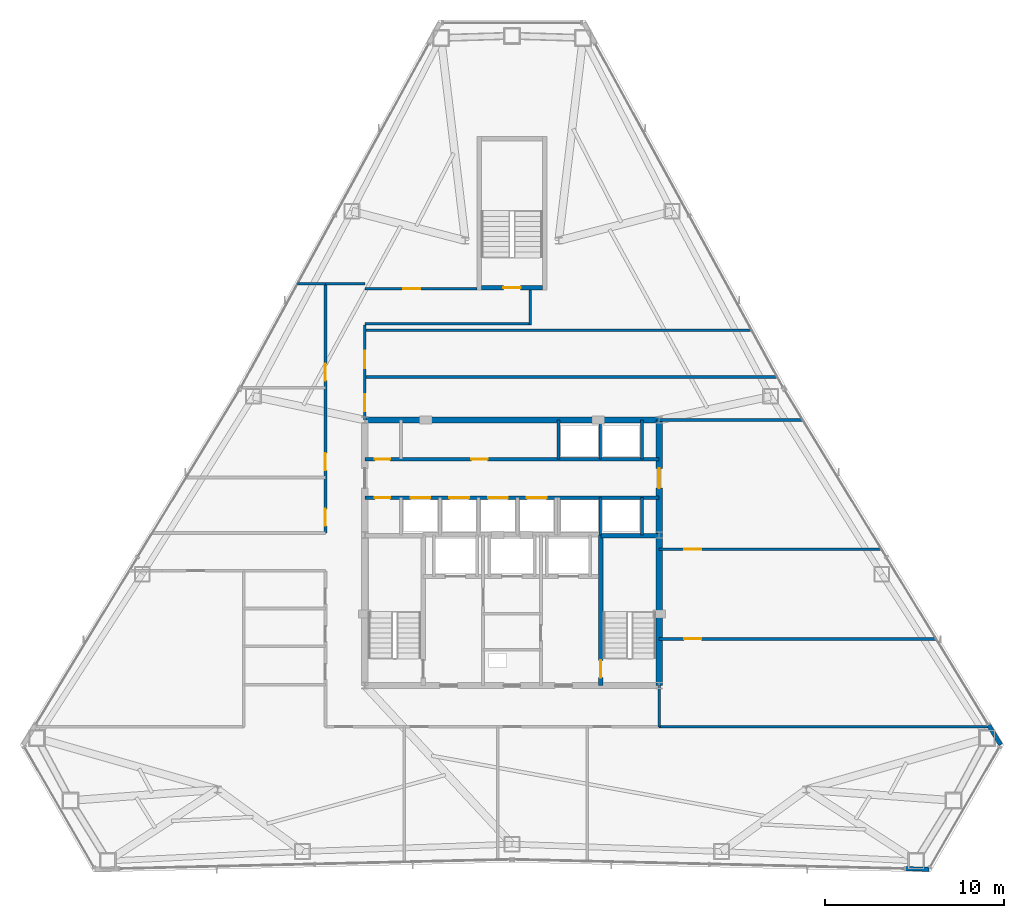
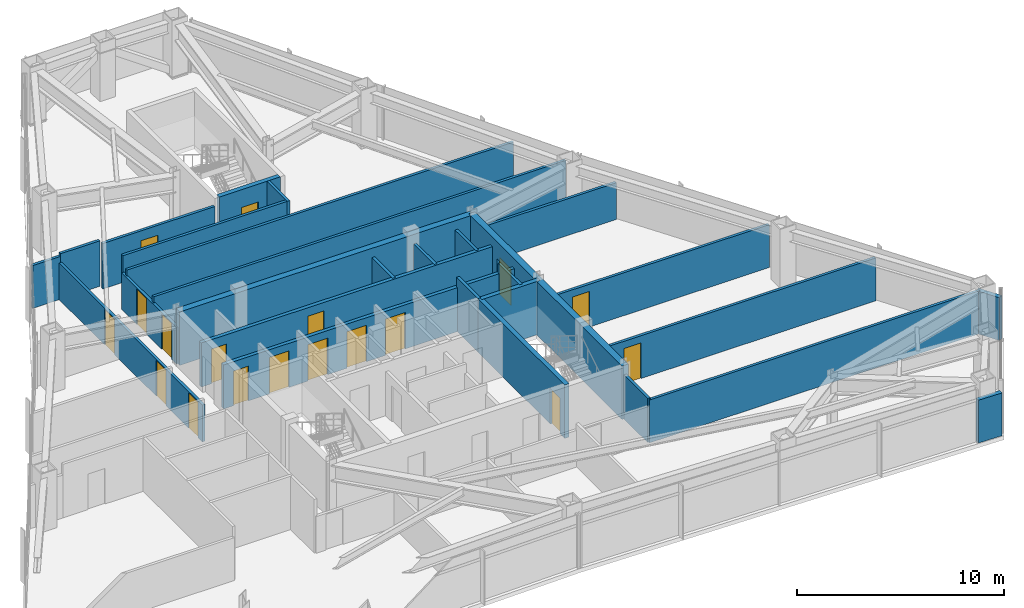
# One storey, part 10 of 12: 28 walls, 18 doors, 18 openings.
"""IFC4 building model written with IfcOpenShell, lengths in metres."""

from ifc_helpers import new_model, si_unit, direction, frame, frame_2d, origin, place, context, subcontext, project, spatial, rectangle, extrude, material, layer, layer_set, type_object, element, fill, save


model = new_model("IFC4")

# Units and contexts
model_context = context("Model", 3, precision=1e-05, world=origin(), true_north=direction((0.0, 1.0)))
body_context = subcontext(model_context, "Body", "Model", "MODEL_VIEW")
ifc_project = project(units=[si_unit("LENGTHUNIT", "METRE"), si_unit("AREAUNIT", "SQUARE_METRE"), si_unit("VOLUMEUNIT", "CUBIC_METRE"), si_unit("PLANEANGLEUNIT", "RADIAN"), si_unit("MASSUNIT", "GRAM", prefix="KILO")], contexts=[model_context])

# Site, building, storey
site_placement = place(None, origin())
site = spatial("IfcSite", under=ifc_project, at=site_placement, CompositionType="ELEMENT")
building_placement = place(site_placement, origin())
building = spatial("IfcBuilding", under=site, at=building_placement, Name="Varakhsha Concourse Tower", CompositionType="ELEMENT")
storey_placement = place(building_placement, frame((0.0, 0.0, 153.949951171875)))
storey = spatial("IfcBuildingStorey", under=building, at=storey_placement, Name="L44", CompositionType="ELEMENT", Elevation=153.949951171875)

# Wall
ifc_material_1 = material(Name="Concrete fc 65 MPa", Category="concrete")
ifc_layer_1 = layer(ifc_material_1, 0.35009765625, Name="WL-CORE-350")
ifc_layer_set_1 = layer_set([ifc_layer_1], Name="Concrete fc 65 MPa")
wall_type_1 = type_object("IfcWallType", Name="WL-CORE-350", PredefinedType="SHEAR", material=ifc_layer_set_1)
wall_1_placement = place(storey_placement, frame((31.800048828125, 31.199951171875, 0.0), z_axis=(0.0, 0.0, 1.0), x_axis=(1.0, 0.0, 0.0)))
element("IfcWall", 1, at=wall_1_placement, inside=storey, type_object=wall_type_1, Name="L44 Wall CWALL-N-L44", PredefinedType="SHEAR", context=body_context, shape_type="SweptSolid", body=[
    extrude(rectangle(XDim=16.39990234375, YDim=0.35009765625, at=frame_2d((8.199951171875, 0.0))), origin(), (0.0, 0.0, 1.0), 3.150146484375),
])

# Wall, opening, door
wall_2_placement = place(storey_placement, frame((48.199951171875, 16.39990234375, 0.0), z_axis=(0.0, 0.0, 1.0), x_axis=(0.0, 1.0, 0.0)))
wall_2 = element("IfcWall", 2, at=wall_2_placement, inside=storey, type_object=wall_type_1, Name="L44 Wall CWALL-E-L44", PredefinedType="SHEAR", context=body_context, shape_type="SweptSolid", body=[
    extrude(rectangle(XDim=14.800048828125, YDim=0.35009765625, at=frame_2d((7.39990234375, 0.0))), origin(), (0.0, 0.0, 1.0), 3.150146484375),
])
opening_1_placement = place(wall_2_placement, frame((11.0, 0.0, 0.0)))
opening_1 = element("IfcOpeningElement", 3, at=opening_1_placement, cuts=wall_2, Name="Opening DL-01", PredefinedType="OPENING", context=body_context, shape_type="SweptSolid", body=[
    extrude(rectangle(XDim=1.10009765625, YDim=2.14990234375, at=frame_2d((0.550048828125, 1.074951171875))), frame((0.0, 0.18505859375, 0.0), z_axis=(0.0, -1.0, 0.0), x_axis=(1.0, 0.0, 0.0)), (0.0, 0.0, 1.0), 0.3701171875),
])
ifc_material_2 = material(Name="Anodised Bronze Architectural Aluminium AA 6063-T6", Category="aluminium")
door_type_1 = type_object("IfcDoorType", Name="DR-LOB-1100", OperationType="NOTDEFINED", PredefinedType="DOOR", material=ifc_material_2)
door_1_placement = place(opening_1_placement, origin())
door_1 = element("IfcDoor", 4, at=door_1_placement, inside=storey, type_object=door_type_1, Name="L44 Lift Lobby East Concourse Door", OperationType="SINGLE_SWING_RIGHT", OverallHeight=2.14990234375, OverallWidth=1.10009765625, PredefinedType="DOOR", context=body_context, shape_type="SweptSolid", body=[
    extrude(rectangle(XDim=1.10009765625, YDim=2.14990234375, at=frame_2d((0.550048828125, 1.074951171875))), frame((0.0, 0.02490234375, 0.0), z_axis=(0.0, -1.0, 0.0), x_axis=(1.0, 0.0, 0.0)), (0.0, 0.0, 1.0), 0.050048828125),
])
fill(opening_1, door_1)

# Walls
ifc_material_3 = material(Name="Concrete fc 45 MPa", Category="concrete")
ifc_layer_2 = layer(ifc_material_3, 0.239990234375, Name="WL-EXT-CRN-240")
ifc_layer_set_2 = layer_set([ifc_layer_2], Name="Concrete fc 45 MPa")
wall_type_2 = type_object("IfcWallType", Name="WL-EXT-CRN-240", PredefinedType="SHEAR", material=ifc_layer_set_2)
for number, where, z_axis, x_axis, name in (
    (5, (61.94482421875, 6.1923828125, 0.0), (0.0, 0.0, 1.0), (0.999725281916, -0.023438444878, 0.0), "L44 Wind-Corner Shoulder Wall F6"),
    (6, (67.2392578125, 13.095947265625, 0.0), (0.0, 0.0, 1.0), (-0.520210782009, 0.854037904476, 0.0), "L44 Wind-Corner Shoulder Wall F8"),
):
    element("IfcWall", number, at=place(storey_placement, frame(where, z_axis=z_axis, x_axis=x_axis)), inside=storey, type_object=wall_type_2, Name=name, PredefinedType="SHEAR", context=body_context, shape_type="SweptSolid", body=[
        extrude(rectangle(XDim=1.29150390625, YDim=0.239990234375, at=frame_2d((0.645751953125, 0.0))), origin(), (0.0, 0.0, 1.0), 2.52294921875),
    ])
ifc_material_4 = material(Name="Fire-Rated Type X Gypsum Partition Assembly", Category="gypsum")
ifc_layer_3 = layer(ifc_material_4, 0.14990234375, Name="WL-PART-150")
ifc_layer_set_3 = layer_set([ifc_layer_3], Name="Fire-Rated Type X Gypsum Partition Assembly")
wall_type_3 = type_object("IfcWallType", Name="WL-PART-150", PredefinedType="PARTITIONING", material=ifc_layer_set_3)
wall_3_placement = place(storey_placement, frame((48.199951171875, 14.10009765625, 0.0), z_axis=(0.0, 0.0, 1.0), x_axis=(0.0, 1.0, 0.0)))
element("IfcWall", 7, at=wall_3_placement, inside=storey, type_object=wall_type_3, Name="L44 Wall CRW-SE-L44", PredefinedType="PARTITIONING", context=body_context, shape_type="SweptSolid", body=[
    extrude(rectangle(XDim=2.2998046875, YDim=0.14990234375, at=frame_2d((1.14990234375, 0.0))), origin(), (0.0, 0.0, 1.0), 2.60107421875),
])

# Wall, openings, doors
wall_4_placement = place(storey_placement, frame((29.60009765625, 24.89990234375, 0.0), z_axis=(0.0, 0.0, 1.0), x_axis=(0.0, 1.0, 0.0)))
wall_4 = element("IfcWall", 8, at=wall_4_placement, inside=storey, type_object=wall_type_3, Name="L44 Wall CRW-WN-L44", PredefinedType="PARTITIONING", context=body_context, shape_type="SweptSolid", body=[
    extrude(rectangle(XDim=13.900146484375, YDim=0.14990234375, at=frame_2d((6.9501953125, 0.0))), origin(), (0.0, 0.0, 1.0), 2.1650390625),
])
opening_2_placement = place(wall_4_placement, frame((0.39990234375, 0.0, 0.0)))
opening_2 = element("IfcOpeningElement", 9, at=opening_2_placement, cuts=wall_4, Name="Opening DF-05", PredefinedType="OPENING", context=body_context, shape_type="SweptSolid", body=[
    extrude(rectangle(XDim=0.949951171875, YDim=2.10009765625, at=frame_2d((0.47509765625, 1.050048828125))), frame((0.0, 0.0849609375, 0.0), z_axis=(0.0, -1.0, 0.0), x_axis=(1.0, 0.0, 0.0)), (0.0, 0.0, 1.0), 0.169921875),
])
opening_3_placement = place(wall_4_placement, frame((3.5, 0.0, 0.0)))
opening_3 = element("IfcOpeningElement", 10, at=opening_3_placement, cuts=wall_4, Name="Opening DF-05", PredefinedType="OPENING", context=body_context, shape_type="SweptSolid", body=[
    extrude(rectangle(XDim=0.949951171875, YDim=2.10009765625, at=frame_2d((0.47509765625, 1.050048828125))), frame((0.0, 0.0849609375, 0.0), z_axis=(0.0, -1.0, 0.0), x_axis=(1.0, 0.0, 0.0)), (0.0, 0.0, 1.0), 0.169921875),
])
opening_4_placement = place(wall_4_placement, frame((8.5, 0.0, 0.0)))
opening_4 = element("IfcOpeningElement", 11, at=opening_4_placement, cuts=wall_4, Name="Opening DF-05", PredefinedType="OPENING", context=body_context, shape_type="SweptSolid", body=[
    extrude(rectangle(XDim=0.949951171875, YDim=2.10009765625, at=frame_2d((0.47509765625, 1.050048828125))), frame((0.0, 0.0849609375, 0.0), z_axis=(0.0, -1.0, 0.0), x_axis=(1.0, 0.0, 0.0)), (0.0, 0.0, 1.0), 0.169921875),
])
ifc_material_5 = material(Name="Hollow Galvanised Steel Fire Door Assembly", Category="steel")
door_type_2 = type_object("IfcDoorType", Name="DR-FD60-950", OperationType="NOTDEFINED", PredefinedType="DOOR", material=ifc_material_5)
door_2_placement = place(opening_2_placement, origin())
door_2 = element("IfcDoor", 12, at=door_2_placement, inside=storey, type_object=door_type_2, Name="L44 Executive Dining Pantry L44-NW Door", OperationType="SINGLE_SWING_LEFT", OverallHeight=2.10009765625, OverallWidth=0.949951171875, PredefinedType="DOOR", context=body_context, shape_type="SweptSolid", body=[
    extrude(rectangle(XDim=0.949951171875, YDim=2.10009765625, at=frame_2d((0.47509765625, 1.050048828125))), frame((0.0, 0.02490234375, 0.0), z_axis=(0.0, -1.0, 0.0), x_axis=(1.0, 0.0, 0.0)), (0.0, 0.0, 1.0), 0.050048828125),
])
fill(opening_2, door_2)
door_3_placement = place(opening_3_placement, origin())
door_3 = element("IfcDoor", 13, at=door_3_placement, inside=storey, type_object=door_type_2, Name="L44 Executive Director Suite L44-W2 Door", OperationType="SINGLE_SWING_RIGHT", OverallHeight=2.10009765625, OverallWidth=0.949951171875, PredefinedType="DOOR", context=body_context, shape_type="SweptSolid", body=[
    extrude(rectangle(XDim=0.949951171875, YDim=2.10009765625, at=frame_2d((0.47509765625, 1.050048828125))), frame((0.0, 0.02490234375, 0.0), z_axis=(0.0, -1.0, 0.0), x_axis=(1.0, 0.0, 0.0)), (0.0, 0.0, 1.0), 0.050048828125),
])
fill(opening_3, door_3)
door_4_placement = place(opening_4_placement, origin())
door_4 = element("IfcDoor", 14, at=door_4_placement, inside=storey, type_object=door_type_2, Name="L44 Executive Director Suite L44-W3 Door", OperationType="SINGLE_SWING_LEFT", OverallHeight=2.10009765625, OverallWidth=0.949951171875, PredefinedType="DOOR", context=body_context, shape_type="SweptSolid", body=[
    extrude(rectangle(XDim=0.949951171875, YDim=2.10009765625, at=frame_2d((0.47509765625, 1.050048828125))), frame((0.0, 0.02490234375, 0.0), z_axis=(0.0, -1.0, 0.0), x_axis=(1.0, 0.0, 0.0)), (0.0, 0.0, 1.0), 0.050048828125),
])
fill(opening_4, door_4)

wall_5_placement = place(storey_placement, frame((31.800048828125, 31.199951171875, 0.0), z_axis=(0.0, 0.0, 1.0), x_axis=(0.0, 1.0, 0.0)))
wall_5 = element("IfcWall", 15, at=wall_5_placement, inside=storey, type_object=wall_type_3, Name="L44 Wall CRW-NE-L44", PredefinedType="PARTITIONING", context=body_context, shape_type="SweptSolid", body=[
    extrude(rectangle(XDim=5.300048828125, YDim=0.14990234375, at=frame_2d((2.64990234375, 0.0))), origin(), (0.0, 0.0, 1.0), 2.1650390625),
])
opening_5_placement = place(wall_5_placement, frame((0.5, 0.0, 0.0)))
opening_5 = element("IfcOpeningElement", 16, at=opening_5_placement, cuts=wall_5, Name="Opening DF-05", PredefinedType="OPENING", context=body_context, shape_type="SweptSolid", body=[
    extrude(rectangle(XDim=0.949951171875, YDim=2.10009765625, at=frame_2d((0.47509765625, 1.050048828125))), frame((0.0, 0.0849609375, 0.0), z_axis=(0.0, -1.0, 0.0), x_axis=(1.0, 0.0, 0.0)), (0.0, 0.0, 1.0), 0.169921875),
])
opening_6_placement = place(wall_5_placement, frame((2.89990234375, 0.0, 0.0)))
opening_6 = element("IfcOpeningElement", 17, at=opening_6_placement, cuts=wall_5, Name="Opening DF-05", PredefinedType="OPENING", context=body_context, shape_type="SweptSolid", body=[
    extrude(rectangle(XDim=0.949951171875, YDim=2.10009765625, at=frame_2d((0.47509765625, 1.050048828125))), frame((0.0, 0.0849609375, 0.0), z_axis=(0.0, -1.0, 0.0), x_axis=(1.0, 0.0, 0.0)), (0.0, 0.0, 1.0), 0.169921875),
])
door_5_placement = place(opening_5_placement, origin())
door_5 = element("IfcDoor", 18, at=door_5_placement, inside=storey, type_object=door_type_2, Name="L44 Mountain View Grand Corner Boardroom L44-NE1 Door", OperationType="SINGLE_SWING_RIGHT", OverallHeight=2.10009765625, OverallWidth=0.949951171875, PredefinedType="DOOR", context=body_context, shape_type="SweptSolid", body=[
    extrude(rectangle(XDim=0.949951171875, YDim=2.10009765625, at=frame_2d((0.47509765625, 1.050048828125))), frame((0.0, 0.02490234375, 0.0), z_axis=(0.0, -1.0, 0.0), x_axis=(1.0, 0.0, 0.0)), (0.0, 0.0, 1.0), 0.050048828125),
])
fill(opening_5, door_5)
door_6_placement = place(opening_6_placement, origin())
door_6 = element("IfcDoor", 19, at=door_6_placement, inside=storey, type_object=door_type_2, Name="L44 Apex Executive Director Suite L44-NE2 Door", OperationType="SINGLE_SWING_RIGHT", OverallHeight=2.10009765625, OverallWidth=0.949951171875, PredefinedType="DOOR", context=body_context, shape_type="SweptSolid", body=[
    extrude(rectangle(XDim=0.949951171875, YDim=2.10009765625, at=frame_2d((0.47509765625, 1.050048828125))), frame((0.0, 0.02490234375, 0.0), z_axis=(0.0, -1.0, 0.0), x_axis=(1.0, 0.0, 0.0)), (0.0, 0.0, 1.0), 0.050048828125),
])
fill(opening_6, door_6)

# Walls
wall_6_placement = place(storey_placement, frame((29.60009765625, 38.800048828125, 0.0), z_axis=(0.0, 0.0, 1.0), x_axis=(1.0, 0.0, 0.0)))
element("IfcWall", 20, at=wall_6_placement, inside=storey, type_object=wall_type_3, Name="L44 Wall CRW-NCAP-L44", PredefinedType="PARTITIONING", context=body_context, shape_type="SweptSolid", body=[
    extrude(rectangle(XDim=2.199951171875, YDim=0.14990234375, at=frame_2d((1.10009765625, 0.0))), origin(), (0.0, 0.0, 1.0), 2.68310546875),
])
wall_7_placement = place(storey_placement, frame((28.054443359375, 38.800048828125, 0.0), z_axis=(0.0, 0.0, 1.0), x_axis=(1.0, 0.0, 0.0)))
element("IfcWall", 21, at=wall_7_placement, inside=storey, type_object=wall_type_3, Name="L44 Wall ODIV-NWT-L44", PredefinedType="PARTITIONING", context=body_context, shape_type="SweptSolid", body=[
    extrude(rectangle(XDim=1.545654296875, YDim=0.14990234375, at=frame_2d((0.77294921875, 0.0))), origin(), (0.0, 0.0, 1.0), 2.529052734375),
])
wall_8_placement = place(storey_placement, frame((48.199951171875, 31.199951171875, 0.0), z_axis=(0.0, 0.0, 1.0), x_axis=(1.0, 0.0, 0.0)))
element("IfcWall", 22, at=wall_8_placement, inside=storey, type_object=wall_type_3, Name="L44 Wall ODIV-NEB-L44", PredefinedType="PARTITIONING", context=body_context, shape_type="SweptSolid", body=[
    extrude(rectangle(XDim=8.00830078125, YDim=0.14990234375, at=frame_2d((4.004150390625, 0.0))), origin(), (0.0, 0.0, 1.0), 2.1650390625),
])
wall_9_placement = place(storey_placement, frame((31.800048828125, 33.60009765625, 0.0), z_axis=(0.0, 0.0, 1.0), x_axis=(1.0, 0.0, 0.0)))
element("IfcWall", 23, at=wall_9_placement, inside=storey, type_object=wall_type_3, Name="L44 Wall ODIV-NE1-L44", PredefinedType="PARTITIONING", context=body_context, shape_type="SweptSolid", body=[
    extrude(rectangle(XDim=22.987548828125, YDim=0.14990234375, at=frame_2d((11.49365234375, 0.0))), origin(), (0.0, 0.0, 1.0), 2.529052734375),
])
wall_10_placement = place(storey_placement, frame((31.800048828125, 36.199951171875, 0.0), z_axis=(0.0, 0.0, 1.0), x_axis=(1.0, 0.0, 0.0)))
element("IfcWall", 24, at=wall_10_placement, inside=storey, type_object=wall_type_3, Name="L44 Wall ODIV-NE2-L44", PredefinedType="PARTITIONING", context=body_context, shape_type="SweptSolid", body=[
    extrude(rectangle(XDim=21.566650390625, YDim=0.14990234375, at=frame_2d((10.783203125, 0.0))), origin(), (0.0, 0.0, 1.0), 2.529052734375),
])
wall_11_placement = place(storey_placement, frame((48.199951171875, 14.10009765625, 0.0), z_axis=(0.0, 0.0, 1.0), x_axis=(1.0, 0.0, 0.0)))
element("IfcWall", 25, at=wall_11_placement, inside=storey, type_object=wall_type_3, Name="L44 Wall ODIV-EB0-L44", PredefinedType="PARTITIONING", context=body_context, shape_type="SweptSolid", body=[
    extrude(rectangle(XDim=18.422119140625, YDim=0.14990234375, at=frame_2d((9.2109375, 0.0))), origin(), (0.0, 0.0, 1.0), 2.529052734375),
])

# Wall, opening, door
wall_12_placement = place(storey_placement, frame((48.199951171875, 19.0, 0.0), z_axis=(0.0, 0.0, 1.0), x_axis=(1.0, 0.0, 0.0)))
wall_12 = element("IfcWall", 26, at=wall_12_placement, inside=storey, type_object=wall_type_3, Name="L44 Wall ODIV-E1-L44", PredefinedType="PARTITIONING", context=body_context, shape_type="SweptSolid", body=[
    extrude(rectangle(XDim=15.43798828125, YDim=0.14990234375, at=frame_2d((7.718994140625, 0.0))), origin(), (0.0, 0.0, 1.0), 2.529052734375),
])
opening_7_placement = place(wall_12_placement, frame((1.39990234375, 0.0, 0.0)))
opening_7 = element("IfcOpeningElement", 27, at=opening_7_placement, cuts=wall_12, Name="Opening DF-05", PredefinedType="OPENING", context=body_context, shape_type="SweptSolid", body=[
    extrude(rectangle(XDim=0.949951171875, YDim=2.10009765625, at=frame_2d((0.47509765625, 1.050048828125))), frame((0.0, 0.0849609375, 0.0), z_axis=(0.0, -1.0, 0.0), x_axis=(1.0, 0.0, 0.0)), (0.0, 0.0, 1.0), 0.169921875),
])
door_7_placement = place(opening_7_placement, origin())
door_7 = element("IfcDoor", 28, at=door_7_placement, inside=storey, type_object=door_type_2, Name="L44 East Suite Interconnect Door 1", OperationType="SINGLE_SWING_LEFT", OverallHeight=2.10009765625, OverallWidth=0.949951171875, PredefinedType="DOOR", context=body_context, shape_type="SweptSolid", body=[
    extrude(rectangle(XDim=0.949951171875, YDim=2.10009765625, at=frame_2d((0.47509765625, 1.050048828125))), frame((0.0, 0.02490234375, 0.0), z_axis=(0.0, -1.0, 0.0), x_axis=(1.0, 0.0, 0.0)), (0.0, 0.0, 1.0), 0.050048828125),
])
fill(opening_7, door_7)

wall_13_placement = place(storey_placement, frame((48.199951171875, 24.0, 0.0), z_axis=(0.0, 0.0, 1.0), x_axis=(1.0, 0.0, 0.0)))
wall_13 = element("IfcWall", 29, at=wall_13_placement, inside=storey, type_object=wall_type_3, Name="L44 Wall ODIV-E2-L44", PredefinedType="PARTITIONING", context=body_context, shape_type="SweptSolid", body=[
    extrude(rectangle(XDim=12.39306640625, YDim=0.14990234375, at=frame_2d((6.196533203125, 0.0))), origin(), (0.0, 0.0, 1.0), 2.529052734375),
])
opening_8_placement = place(wall_13_placement, frame((1.39990234375, 0.0, 0.0)))
opening_8 = element("IfcOpeningElement", 30, at=opening_8_placement, cuts=wall_13, Name="Opening DF-05", PredefinedType="OPENING", context=body_context, shape_type="SweptSolid", body=[
    extrude(rectangle(XDim=0.949951171875, YDim=2.10009765625, at=frame_2d((0.47509765625, 1.050048828125))), frame((0.0, 0.0849609375, 0.0), z_axis=(0.0, -1.0, 0.0), x_axis=(1.0, 0.0, 0.0)), (0.0, 0.0, 1.0), 0.169921875),
])
door_8_placement = place(opening_8_placement, origin())
door_8 = element("IfcDoor", 31, at=door_8_placement, inside=storey, type_object=door_type_2, Name="L44 East Suite Interconnect Door 2", OperationType="SINGLE_SWING_RIGHT", OverallHeight=2.10009765625, OverallWidth=0.949951171875, PredefinedType="DOOR", context=body_context, shape_type="SweptSolid", body=[
    extrude(rectangle(XDim=0.949951171875, YDim=2.10009765625, at=frame_2d((0.47509765625, 1.050048828125))), frame((0.0, 0.02490234375, 0.0), z_axis=(0.0, -1.0, 0.0), x_axis=(1.0, 0.0, 0.0)), (0.0, 0.0, 1.0), 0.050048828125),
])
fill(opening_8, door_8)

# Wall
wall_14_placement = place(storey_placement, frame((31.800048828125, 36.574951171875, 0.0), z_axis=(0.0, 0.0, 1.0), x_axis=(1.0, 0.0, 0.0)))
element("IfcWall", 32, at=wall_14_placement, inside=storey, type_object=wall_type_3, Name="L44 Wall STLK-S-L44", PredefinedType="PARTITIONING", context=body_context, shape_type="SweptSolid", body=[
    extrude(rectangle(XDim=9.14990234375, YDim=0.14990234375, at=frame_2d((4.574951171875, 0.0))), origin(), (0.0, 0.0, 1.0), 3.150146484375),
])

# Wall, opening, door
wall_15_placement = place(storey_placement, frame((31.800048828125, 38.52490234375, 0.0), z_axis=(0.0, 0.0, 1.0), x_axis=(1.0, 0.0, 0.0)))
wall_15 = element("IfcWall", 33, at=wall_15_placement, inside=storey, type_object=wall_type_3, Name="L44 Wall STLK-N-L44", PredefinedType="PARTITIONING", context=body_context, shape_type="SweptSolid", body=[
    extrude(rectangle(XDim=6.25, YDim=0.14990234375, at=frame_2d((3.125, 0.0))), origin(), (0.0, 0.0, 1.0), 2.68310546875),
])
opening_9_placement = place(wall_15_placement, frame((2.125, 0.0, 0.0)))
opening_9 = element("IfcOpeningElement", 34, at=opening_9_placement, cuts=wall_15, Name="Opening DF-05", PredefinedType="OPENING", context=body_context, shape_type="SweptSolid", body=[
    extrude(rectangle(XDim=0.949951171875, YDim=2.10009765625, at=frame_2d((0.47509765625, 1.050048828125))), frame((0.0, 0.0849609375, 0.0), z_axis=(0.0, -1.0, 0.0), x_axis=(1.0, 0.0, 0.0)), (0.0, 0.0, 1.0), 0.169921875),
])
door_9_placement = place(opening_9_placement, origin())
door_9 = element("IfcDoor", 35, at=door_9_placement, inside=storey, type_object=door_type_2, Name="L44 Apex Executive Director Suite L44-NE3 Door", OperationType="SINGLE_SWING_RIGHT", OverallHeight=2.10009765625, OverallWidth=0.949951171875, PredefinedType="DOOR", context=body_context, shape_type="SweptSolid", body=[
    extrude(rectangle(XDim=0.949951171875, YDim=2.10009765625, at=frame_2d((0.47509765625, 1.050048828125))), frame((0.0, 0.02490234375, 0.0), z_axis=(0.0, -1.0, 0.0), x_axis=(1.0, 0.0, 0.0)), (0.0, 0.0, 1.0), 0.050048828125),
])
fill(opening_9, door_9)

# Wall
wall_16_placement = place(storey_placement, frame((41.02490234375, 36.5, 0.0), z_axis=(0.0, 0.0, 1.0), x_axis=(0.0, 1.0, 0.0)))
element("IfcWall", 36, at=wall_16_placement, inside=storey, type_object=wall_type_3, Name="L44 Wall STLK-E-L44", PredefinedType="PARTITIONING", context=body_context, shape_type="SweptSolid", body=[
    extrude(rectangle(XDim=1.949951171875, YDim=0.14990234375, at=frame_2d((0.97509765625, 0.0))), origin(), (0.0, 0.0, 1.0), 3.150146484375),
])

# Wall, openings, doors
ifc_layer_4 = layer(ifc_material_4, 0.199951171875, Name="WL-SHAFT-220")
ifc_layer_set_4 = layer_set([ifc_layer_4], Name="Fire-Rated Type X Gypsum Partition Assembly")
wall_type_4 = type_object("IfcWallType", Name="WL-SHAFT-220", PredefinedType="SOLIDWALL", material=ifc_layer_set_4)
wall_17_placement = place(storey_placement, frame((31.800048828125, 29.02001953125, 0.0), z_axis=(0.0, 0.0, 1.0), x_axis=(1.0, 0.0, 0.0)))
wall_17 = element("IfcWall", 37, at=wall_17_placement, inside=storey, type_object=wall_type_4, Name="L44 Wall PLW-N-L44", PredefinedType="SOLIDWALL", context=body_context, shape_type="SweptSolid", body=[
    extrude(rectangle(XDim=16.39990234375, YDim=0.199951171875, at=frame_2d((8.199951171875, 0.0))), origin(), (0.0, 0.0, 1.0), 2.60107421875),
])
opening_10_placement = place(wall_17_placement, frame((0.550048828125, 0.0, 0.0)))
opening_10 = element("IfcOpeningElement", 38, at=opening_10_placement, cuts=wall_17, Name="Opening DF-07", PredefinedType="OPENING", context=body_context, shape_type="SweptSolid", body=[
    extrude(rectangle(XDim=0.85009765625, YDim=2.050048828125, at=frame_2d((0.425048828125, 1.02490234375))), frame((0.0, 0.10986328125, 0.0), z_axis=(0.0, -1.0, 0.0), x_axis=(1.0, 0.0, 0.0)), (0.0, 0.0, 1.0), 0.219970703125),
])
opening_11_placement = place(wall_17_placement, frame((5.93994140625, 0.0, 0.0)))
opening_11 = element("IfcOpeningElement", 39, at=opening_11_placement, cuts=wall_17, Name="Opening DF-06", PredefinedType="OPENING", context=body_context, shape_type="SweptSolid", body=[
    extrude(rectangle(XDim=0.89990234375, YDim=2.10009765625, at=frame_2d((0.449951171875, 1.050048828125))), frame((0.0, 0.10986328125, 0.0), z_axis=(0.0, -1.0, 0.0), x_axis=(1.0, 0.0, 0.0)), (0.0, 0.0, 1.0), 0.219970703125),
])
door_type_3 = type_object("IfcDoorType", Name="DR-FD60-850", OperationType="NOTDEFINED", PredefinedType="DOOR", material=ifc_material_5)
door_10_placement = place(opening_10_placement, origin())
door_10 = element("IfcDoor", 40, at=door_10_placement, inside=storey, type_object=door_type_3, Name="L44 Core Janitor Closet Door", OperationType="SINGLE_SWING_LEFT", OverallHeight=2.050048828125, OverallWidth=0.85009765625, PredefinedType="DOOR", context=body_context, shape_type="SweptSolid", body=[
    extrude(rectangle(XDim=0.85009765625, YDim=2.050048828125, at=frame_2d((0.425048828125, 1.02490234375))), frame((0.0, 0.02490234375, 0.0), z_axis=(0.0, -1.0, 0.0), x_axis=(1.0, 0.0, 0.0)), (0.0, 0.0, 1.0), 0.050048828125),
])
fill(opening_10, door_10)
door_type_4 = type_object("IfcDoorType", Name="DR-FD60-900", OperationType="NOTDEFINED", PredefinedType="DOOR", material=ifc_material_5)
door_11_placement = place(opening_11_placement, origin())
door_11 = element("IfcDoor", 41, at=door_11_placement, inside=storey, type_object=door_type_4, Name="L44 Tenant Archive and IT Server Room Door", OperationType="SINGLE_SWING_LEFT", OverallHeight=2.10009765625, OverallWidth=0.89990234375, PredefinedType="DOOR", context=body_context, shape_type="SweptSolid", body=[
    extrude(rectangle(XDim=0.89990234375, YDim=2.10009765625, at=frame_2d((0.449951171875, 1.050048828125))), frame((0.0, 0.02490234375, 0.0), z_axis=(0.0, -1.0, 0.0), x_axis=(1.0, 0.0, 0.0)), (0.0, 0.0, 1.0), 0.050048828125),
])
fill(opening_11, door_11)

wall_18_placement = place(storey_placement, frame((31.800048828125, 26.8798828125, 0.0), z_axis=(0.0, 0.0, 1.0), x_axis=(1.0, 0.0, 0.0)))
wall_18 = element("IfcWall", 42, at=wall_18_placement, inside=storey, type_object=wall_type_4, Name="L44 Wall PLW-S-L44", PredefinedType="SOLIDWALL", context=body_context, shape_type="SweptSolid", body=[
    extrude(rectangle(XDim=16.39990234375, YDim=0.199951171875, at=frame_2d((8.199951171875, 0.0))), origin(), (0.0, 0.0, 1.0), 2.60107421875),
])
opening_12_placement = place(wall_18_placement, frame((0.550048828125, 0.0, 0.0)))
opening_12 = element("IfcOpeningElement", 43, at=opening_12_placement, cuts=wall_18, Name="Opening DF-07", PredefinedType="OPENING", context=body_context, shape_type="SweptSolid", body=[
    extrude(rectangle(XDim=0.85009765625, YDim=2.050048828125, at=frame_2d((0.425048828125, 1.02490234375))), frame((0.0, 0.10986328125, 0.0), z_axis=(0.0, -1.0, 0.0), x_axis=(1.0, 0.0, 0.0)), (0.0, 0.0, 1.0), 0.219970703125),
])
opening_13_placement = place(wall_18_placement, frame((2.550048828125, 0.0, 0.0)))
opening_13 = element("IfcOpeningElement", 44, at=opening_13_placement, cuts=wall_18, Name="Opening LD-LF-P05", PredefinedType="OPENING", context=body_context, shape_type="SweptSolid", body=[
    extrude(rectangle(XDim=1.10009765625, YDim=2.14990234375, at=frame_2d((0.550048828125, 1.074951171875))), frame((0.0, 0.10986328125, 0.0), z_axis=(0.0, -1.0, 0.0), x_axis=(1.0, 0.0, 0.0)), (0.0, 0.0, 1.0), 0.219970703125),
])
opening_14_placement = place(wall_18_placement, frame((4.7099609375, 0.0, 0.0)))
opening_14 = element("IfcOpeningElement", 45, at=opening_14_placement, cuts=wall_18, Name="Opening LD-LF-P06", PredefinedType="OPENING", context=body_context, shape_type="SweptSolid", body=[
    extrude(rectangle(XDim=1.10009765625, YDim=2.14990234375, at=frame_2d((0.550048828125, 1.074951171875))), frame((0.0, 0.10986328125, 0.0), z_axis=(0.0, -1.0, 0.0), x_axis=(1.0, 0.0, 0.0)), (0.0, 0.0, 1.0), 0.219970703125),
])
opening_15_placement = place(wall_18_placement, frame((6.8701171875, 0.0, 0.0)))
opening_15 = element("IfcOpeningElement", 46, at=opening_15_placement, cuts=wall_18, Name="Opening LD-LF-P07", PredefinedType="OPENING", context=body_context, shape_type="SweptSolid", body=[
    extrude(rectangle(XDim=1.10009765625, YDim=2.14990234375, at=frame_2d((0.550048828125, 1.074951171875))), frame((0.0, 0.10986328125, 0.0), z_axis=(0.0, -1.0, 0.0), x_axis=(1.0, 0.0, 0.0)), (0.0, 0.0, 1.0), 0.219970703125),
])
opening_16_placement = place(wall_18_placement, frame((9.030029296875, 0.0, 0.0)))
opening_16 = element("IfcOpeningElement", 47, at=opening_16_placement, cuts=wall_18, Name="Opening LD-LF-P08", PredefinedType="OPENING", context=body_context, shape_type="SweptSolid", body=[
    extrude(rectangle(XDim=1.10009765625, YDim=2.14990234375, at=frame_2d((0.550048828125, 1.074951171875))), frame((0.0, 0.10986328125, 0.0), z_axis=(0.0, -1.0, 0.0), x_axis=(1.0, 0.0, 0.0)), (0.0, 0.0, 1.0), 0.219970703125),
])
door_12_placement = place(opening_12_placement, origin())
door_12 = element("IfcDoor", 48, at=door_12_placement, inside=storey, type_object=door_type_3, Name="L44 Core Telecoms Closet Door", OperationType="SINGLE_SWING_RIGHT", OverallHeight=2.050048828125, OverallWidth=0.85009765625, PredefinedType="DOOR", context=body_context, shape_type="SweptSolid", body=[
    extrude(rectangle(XDim=0.85009765625, YDim=2.050048828125, at=frame_2d((0.425048828125, 1.02490234375))), frame((0.0, 0.02490234375, 0.0), z_axis=(0.0, -1.0, 0.0), x_axis=(1.0, 0.0, 0.0)), (0.0, 0.0, 1.0), 0.050048828125),
])
fill(opening_12, door_12)
ifc_material_6 = material(Name="Brushed Austenitic Stainless Steel AISI 316", Category="steel")
door_type_5 = type_object("IfcDoorType", Name="DR-LD-1100", OperationType="DOUBLE_DOOR_SLIDING", PredefinedType="DOOR", material=ifc_material_6)
door_13_placement = place(opening_13_placement, origin())
door_13 = element("IfcDoor", 49, at=door_13_placement, inside=storey, type_object=door_type_5, Name="Lift Landing Door LF-P05 L44", OperationType="DOUBLE_DOOR_SLIDING", OverallHeight=2.14990234375, OverallWidth=1.10009765625, PredefinedType="DOOR", context=body_context, shape_type="SweptSolid", body=[
    extrude(rectangle(XDim=1.10009765625, YDim=2.14990234375, at=frame_2d((0.550048828125, 1.074951171875))), frame((0.0, 0.02490234375, 0.0), z_axis=(0.0, -1.0, 0.0), x_axis=(1.0, 0.0, 0.0)), (0.0, 0.0, 1.0), 0.050048828125),
])
fill(opening_13, door_13)
door_14_placement = place(opening_14_placement, origin())
door_14 = element("IfcDoor", 50, at=door_14_placement, inside=storey, type_object=door_type_5, Name="Lift Landing Door LF-P06 L44", OperationType="DOUBLE_DOOR_SLIDING", OverallHeight=2.14990234375, OverallWidth=1.10009765625, PredefinedType="DOOR", context=body_context, shape_type="SweptSolid", body=[
    extrude(rectangle(XDim=1.10009765625, YDim=2.14990234375, at=frame_2d((0.550048828125, 1.074951171875))), frame((0.0, 0.02490234375, 0.0), z_axis=(0.0, -1.0, 0.0), x_axis=(1.0, 0.0, 0.0)), (0.0, 0.0, 1.0), 0.050048828125),
])
fill(opening_14, door_14)
door_15_placement = place(opening_15_placement, origin())
door_15 = element("IfcDoor", 51, at=door_15_placement, inside=storey, type_object=door_type_5, Name="Lift Landing Door LF-P07 L44", OperationType="DOUBLE_DOOR_SLIDING", OverallHeight=2.14990234375, OverallWidth=1.10009765625, PredefinedType="DOOR", context=body_context, shape_type="SweptSolid", body=[
    extrude(rectangle(XDim=1.10009765625, YDim=2.14990234375, at=frame_2d((0.550048828125, 1.074951171875))), frame((0.0, 0.02490234375, 0.0), z_axis=(0.0, -1.0, 0.0), x_axis=(1.0, 0.0, 0.0)), (0.0, 0.0, 1.0), 0.050048828125),
])
fill(opening_15, door_15)
door_16_placement = place(opening_16_placement, origin())
door_16 = element("IfcDoor", 52, at=door_16_placement, inside=storey, type_object=door_type_5, Name="Lift Landing Door LF-P08 L44", OperationType="DOUBLE_DOOR_SLIDING", OverallHeight=2.14990234375, OverallWidth=1.10009765625, PredefinedType="DOOR", context=body_context, shape_type="SweptSolid", body=[
    extrude(rectangle(XDim=1.10009765625, YDim=2.14990234375, at=frame_2d((0.550048828125, 1.074951171875))), frame((0.0, 0.02490234375, 0.0), z_axis=(0.0, -1.0, 0.0), x_axis=(1.0, 0.0, 0.0)), (0.0, 0.0, 1.0), 0.050048828125),
])
fill(opening_16, door_16)

# Walls
for number, where, z_axis, x_axis, name in (
    (53, (42.60009765625, 29.02001953125, 0.0), (0.0, 0.0, 1.0), (0.0, 1.0, 0.0), "L44 Wall SHW-LF-P09-W-L44"),
    (54, (44.919921875, 29.02001953125, 0.0), (0.0, 0.0, 1.0), (0.0, 1.0, 0.0), "L44 Wall SHW-LF-P09-E-L44"),
    (55, (47.239990234375, 29.02001953125, 0.0), (0.0, 0.0, 1.0), (0.0, 1.0, 0.0), "L44 Wall SHW-LF-P10-E-L44"),
):
    element("IfcWall", number, at=place(storey_placement, frame(where, z_axis=z_axis, x_axis=x_axis)), inside=storey, type_object=wall_type_4, Name=name, PredefinedType="SOLIDWALL", context=body_context, shape_type="SweptSolid", body=[
        extrude(rectangle(XDim=2.179931640625, YDim=0.159912109375, at=frame_2d((1.08984375, 0.0))), origin(), (0.0, 0.0, 1.0), 2.60107421875),
    ])
for number, where, z_axis, x_axis, name in (
    (56, (44.919921875, 24.800048828125, 0.0), (0.0, 0.0, 1.0), (0.0, 1.0, 0.0), "L44 Wall SHW-LF-P11-E-L44"),
    (57, (47.239990234375, 24.800048828125, 0.0), (0.0, 0.0, 1.0), (0.0, 1.0, 0.0), "L44 Wall SHW-LF-P12-E-L44"),
):
    element("IfcWall", number, at=place(storey_placement, frame(where, z_axis=z_axis, x_axis=x_axis)), inside=storey, type_object=wall_type_4, Name=name, PredefinedType="SOLIDWALL", context=body_context, shape_type="SweptSolid", body=[
        extrude(rectangle(XDim=2.079833984375, YDim=0.159912109375, at=frame_2d((1.0400390625, 0.0))), origin(), (0.0, 0.0, 1.0), 3.150146484375),
    ])

# Wall, opening, door
ifc_layer_5 = layer(ifc_material_3, 0.25, Name="WL-STAIR-250")
ifc_layer_set_5 = layer_set([ifc_layer_5], Name="Concrete fc 45 MPa")
wall_type_5 = type_object("IfcWallType", Name="WL-STAIR-250", PredefinedType="SHEAR", material=ifc_layer_set_5)
wall_19_placement = place(storey_placement, frame((44.955078125, 16.39990234375, 0.0), z_axis=(0.0, 0.0, 1.0), x_axis=(0.0, 1.0, 0.0)))
wall_19 = element("IfcWall", 58, at=wall_19_placement, inside=storey, type_object=wall_type_5, Name="L44 Wall SWALL-ST2-W-L44", PredefinedType="SHEAR", context=body_context, shape_type="SweptSolid", body=[
    extrude(rectangle(XDim=8.400146484375, YDim=0.25, at=frame_2d((4.2001953125, 0.0))), origin(), (0.0, 0.0, 1.0), 3.150146484375),
])
opening_17_placement = place(wall_19_placement, frame((0.449951171875, 0.0, 0.0)))
opening_17 = element("IfcOpeningElement", 59, at=opening_17_placement, cuts=wall_19, Name="Opening DF-03", PredefinedType="OPENING", context=body_context, shape_type="SweptSolid", body=[
    extrude(rectangle(XDim=0.949951171875, YDim=2.10009765625, at=frame_2d((0.47509765625, 1.050048828125))), frame((0.0, 0.135009765625, 0.0), z_axis=(0.0, -1.0, 0.0), x_axis=(1.0, 0.0, 0.0)), (0.0, 0.0, 1.0), 0.27001953125),
])
door_type_6 = type_object("IfcDoorType", Name="DR-FD90-950", OperationType="NOTDEFINED", PredefinedType="DOOR", material=ifc_material_5)
door_17_placement = place(opening_17_placement, origin())
door_17 = element("IfcDoor", 60, at=door_17_placement, inside=storey, type_object=door_type_6, Name="L44 Stair ST2 Fire Door", OperationType="SINGLE_SWING_RIGHT", OverallHeight=2.10009765625, OverallWidth=0.949951171875, PredefinedType="DOOR", context=body_context, shape_type="SweptSolid", body=[
    extrude(rectangle(XDim=0.949951171875, YDim=2.10009765625, at=frame_2d((0.47509765625, 1.050048828125))), frame((0.0, 0.02490234375, 0.0), z_axis=(0.0, -1.0, 0.0), x_axis=(1.0, 0.0, 0.0)), (0.0, 0.0, 1.0), 0.050048828125),
])
fill(opening_17, door_17)

# Wall
wall_20_placement = place(storey_placement, frame((44.955078125, 24.7548828125, 0.0), z_axis=(0.0, 0.0, 1.0), x_axis=(1.0, 0.0, 0.0)))
element("IfcWall", 61, at=wall_20_placement, inside=storey, type_object=wall_type_5, Name="L44 Wall SWALL-ST2-N-L44", PredefinedType="SHEAR", context=body_context, shape_type="SweptSolid", body=[
    extrude(rectangle(XDim=3.244873046875, YDim=0.25, at=frame_2d((1.62255859375, 0.0))), origin(), (0.0, 0.0, 1.0), 3.150146484375),
])

# Wall, opening, door
wall_21_placement = place(storey_placement, frame((38.300048828125, 38.574951171875, 0.0), z_axis=(0.0, 0.0, 1.0), x_axis=(1.0, 0.0, 0.0)))
wall_21 = element("IfcWall", 62, at=wall_21_placement, inside=storey, type_object=wall_type_5, Name="L44 Wall SWALL-ST5-S-L44", PredefinedType="SHEAR", context=body_context, shape_type="SweptSolid", body=[
    extrude(rectangle(XDim=3.39990234375, YDim=0.25, at=frame_2d((1.699951171875, 0.0))), origin(), (0.0, 0.0, 1.0), 3.150146484375),
])
opening_18_placement = place(wall_21_placement, frame((1.22509765625, 0.0, 0.0)))
opening_18 = element("IfcOpeningElement", 63, at=opening_18_placement, cuts=wall_21, Name="Opening DF-03", PredefinedType="OPENING", context=body_context, shape_type="SweptSolid", body=[
    extrude(rectangle(XDim=0.949951171875, YDim=2.10009765625, at=frame_2d((0.47509765625, 1.050048828125))), frame((0.0, 0.135009765625, 0.0), z_axis=(0.0, -1.0, 0.0), x_axis=(1.0, 0.0, 0.0)), (0.0, 0.0, 1.0), 0.27001953125),
])
door_18_placement = place(opening_18_placement, origin())
door_18 = element("IfcDoor", 64, at=door_18_placement, inside=storey, type_object=door_type_6, Name="L44 Stair ST5 Fire Door", OperationType="SINGLE_SWING_RIGHT", OverallHeight=2.10009765625, OverallWidth=0.949951171875, PredefinedType="DOOR", context=body_context, shape_type="SweptSolid", body=[
    extrude(rectangle(XDim=0.949951171875, YDim=2.10009765625, at=frame_2d((0.47509765625, 1.050048828125))), frame((0.0, 0.02490234375, 0.0), z_axis=(0.0, -1.0, 0.0), x_axis=(1.0, 0.0, 0.0)), (0.0, 0.0, 1.0), 0.050048828125),
])
fill(opening_18, door_18)

save(model, "model.ifc")
